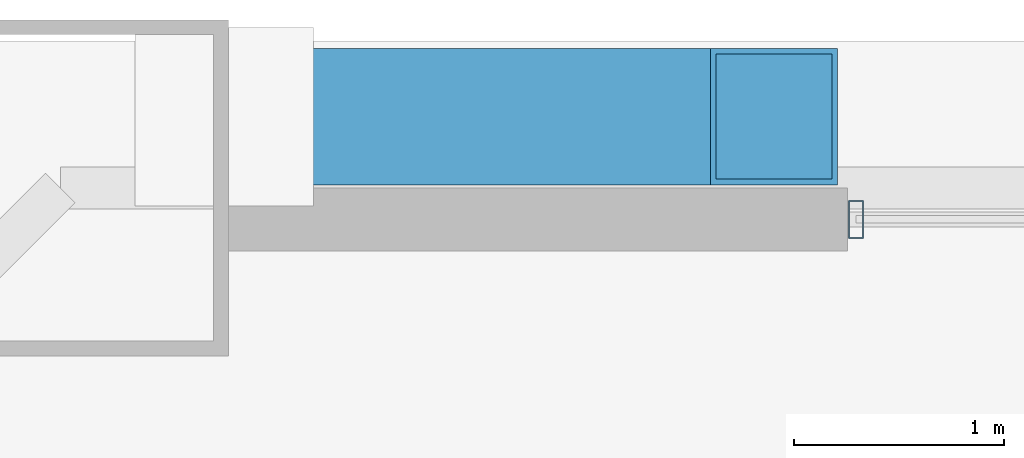
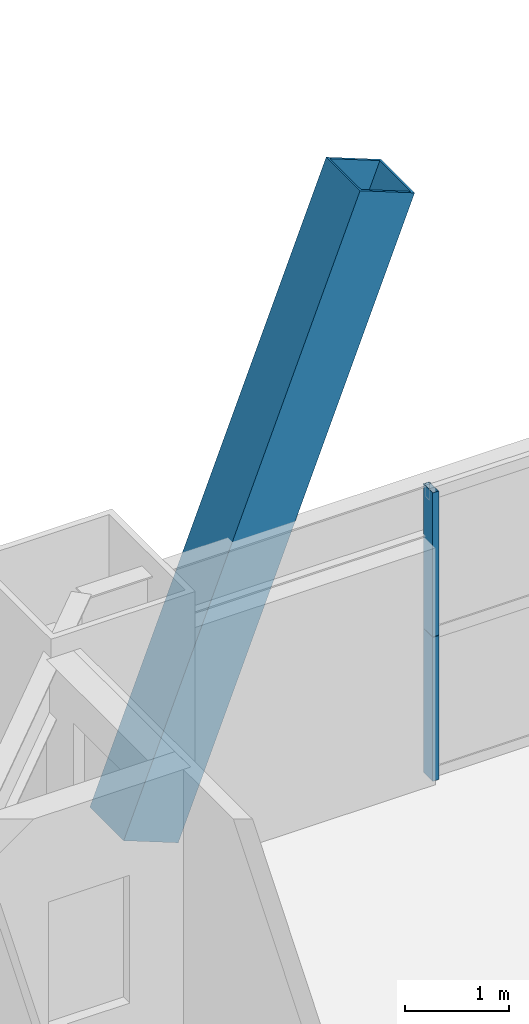
# One storey, part 26 of 41: 3 members, 1 element without a shape of its own.
"""IFC4 building model written with IfcOpenShell, lengths in metres."""

from ifc_helpers import new_model, si_unit, direction, frame, origin, origin_2d, place, context, subcontext, project, spatial, hollow_rectangle, extrude, source, transform, mapped, material, layer, layer_set, material_profile, profile_set, type_object, element, aggregate, save


model = new_model("IFC4")

# Units and contexts
model_context = context("Model", 3, precision=1e-05, world=origin(), true_north=direction((0.0, 1.0)))
body_context = subcontext(model_context, "Body", "Model", "MODEL_VIEW")
ifc_project = project(units=[si_unit("LENGTHUNIT", "METRE"), si_unit("AREAUNIT", "SQUARE_METRE"), si_unit("VOLUMEUNIT", "CUBIC_METRE"), si_unit("PLANEANGLEUNIT", "RADIAN"), si_unit("MASSUNIT", "GRAM", prefix="KILO"), si_unit("THERMODYNAMICTEMPERATUREUNIT", "KELVIN"), si_unit("POWERUNIT", "WATT")], contexts=[model_context])

# Site, building, storey
site_placement = place(None, origin())
site = spatial("IfcSite", under=ifc_project, at=site_placement, CompositionType="ELEMENT")
building_placement = place(site_placement, origin())
building = spatial("IfcBuilding", under=site, at=building_placement, Name="Yuzanri Waterfront Tower", CompositionType="ELEMENT")
storey_placement = place(building_placement, frame((0.0, 0.0, 152.39990234375)))
storey = spatial("IfcBuildingStorey", under=building, at=storey_placement, Name="L40", CompositionType="ELEMENT", Elevation=152.39990234375)

# Member
ifc_material_1 = material(Name="Steel Q420GJC", Category="steel")
ifc_material_profile_1 = material_profile(ifc_material_1, hollow_rectangle(XDim=0.64990234375, YDim=0.64990234375, WallThickness=0.028076171875, at=origin_2d()), Name="RHS 650x650x28")
ifc_profile_set_1 = profile_set([ifc_material_profile_1], Name="Steel Q420GJC")
member_type_1 = type_object("IfcMemberType", Name="Mega Brace Lower Q420GJC RHS 650x650x28", PredefinedType="BRACE", material=ifc_profile_set_1)
shared_shape_1 = source(origin(), body_context, "Body", "SweptSolid", [
    extrude(hollow_rectangle(XDim=0.64990234375, YDim=0.64990234375, WallThickness=0.028076171875, at=origin_2d()), origin(), (0.0, 0.0, 1.0), 7.19384765625),
])
member_1_placement = place(storey_placement, frame((17.780029296875, 49.739990234375, 0.18017578125), z_axis=(0.36417668996, 0.0, 0.9313298763), x_axis=(0.0, 1.0, 0.0)))
element("IfcMember", 1, at=member_1_placement, inside=storey, type_object=member_type_1, Name="L40-L41 Perimeter Mega-Brace N-L", PredefinedType="BRACE", context=body_context, shape_type="MappedRepresentation", body=[
    mapped(shared_shape_1, transform((0.0, 0.0, 0.0), scale=1.0)),
])

# Curtain wall, members
ifc_material_2 = material(Name="Anodized Architectural Bronze", Category="metal")
ifc_layer = layer(ifc_material_2, 0.159912109375)
ifc_layer_set = layer_set([ifc_layer], Name="Anodized Architectural Bronze")
curtain_wall_type = type_object("IfcCurtainWallType", Name="Anodized Bronze Hotel Upper-Tier Solar-Control Unitized Curtain Wall 7800", PredefinedType="NOTDEFINED", material=ifc_layer_set)
curtain_wall_placement = place(storey_placement, origin())
curtain_wall = element("IfcCurtainWall", 2, at=curtain_wall_placement, inside=storey, type_object=curtain_wall_type, Name="L40 Curtain Wall CW-L40-NL", PredefinedType="NOTDEFINED")
ifc_material_3 = material(Name="Anodized Architectural Bronze", Category="metal")
ifc_material_profile_2 = material_profile(ifc_material_3, hollow_rectangle(XDim=0.070068359375, YDim=0.179931640625, WallThickness=0.00390625, at=origin_2d()), Name="CWM 70x180")
ifc_profile_set_2 = profile_set([ifc_material_profile_2], Name="Anodized Architectural Bronze")
member_type_2 = type_object("IfcMemberType", Name="Anodized Bronze Standard Curtain-Wall Mullion 70x180", PredefinedType="MULLION", material=ifc_profile_set_2)
shared_shape_2 = source(origin(), body_context, "Body", "SweptSolid", [
    extrude(hollow_rectangle(XDim=0.070068359375, YDim=0.179931640625, WallThickness=0.00390625, at=origin_2d()), origin(), (0.0, 0.0, 1.0), 1.68798828125),
])
member_2_placement = place(storey_placement, frame((20.7900390625, 49.25, 0.0), z_axis=(0.0, 0.0, 1.0), x_axis=(1.0, 0.0, 0.0)))
member_2 = element("IfcMember", 3, at=member_2_placement, type_object=member_type_2, Name="CW-L40-NL Lower Mullion 00", PredefinedType="MULLION", context=body_context, shape_type="MappedRepresentation", body=[
    mapped(shared_shape_2, transform((0.0, 0.0, 0.0), scale=1.0)),
])
member_3_placement = place(storey_placement, frame((20.7900390625, 49.25, 1.692138671875), z_axis=(0.0, 0.0, 1.0), x_axis=(1.0, 0.0, 0.0)))
member_3 = element("IfcMember", 4, at=member_3_placement, type_object=member_type_2, Name="CW-L40-NL Upper Mullion 00", PredefinedType="MULLION", context=body_context, shape_type="MappedRepresentation", body=[
    mapped(shared_shape_2, transform((0.0, 0.0, 0.0), scale=1.0)),
])
aggregate(curtain_wall, [member_2, member_3])

save(model, "model.ifc")
